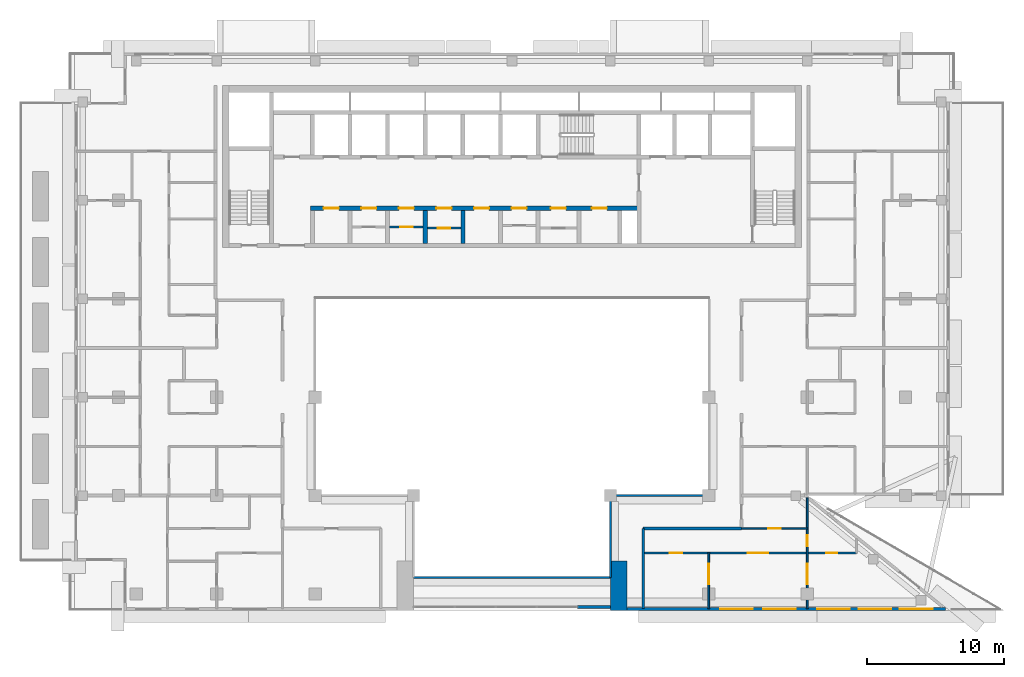
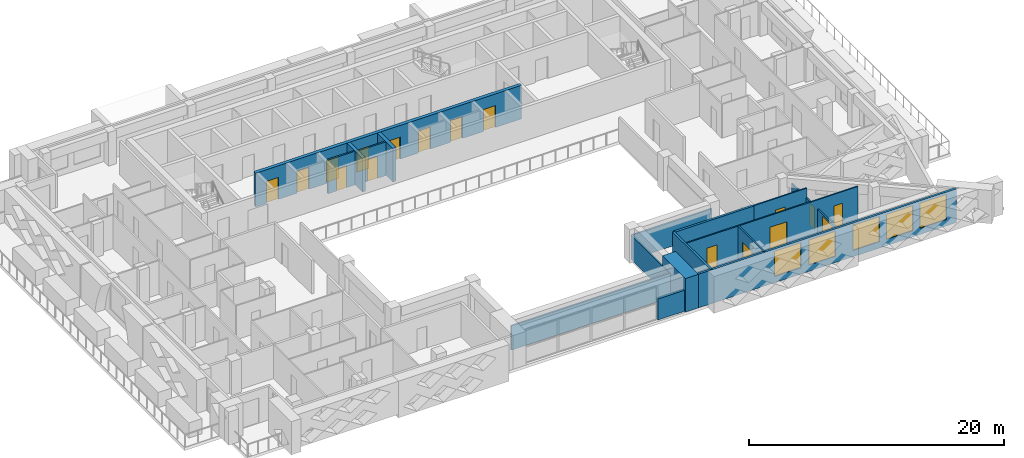
# One storey, part 8 of 19: 17 doors, 17 walls, 5 windows, 22 openings.
"""IFC4 building model written with IfcOpenShell, lengths in metres."""

from ifc_helpers import new_model, si_unit, direction, frame, frame_2d, origin, place, context, subcontext, project, spatial, rectangle, extrude, material, layer, layer_set, type_object, element, fill, save


model = new_model("IFC4")

# Units and contexts
model_context = context("Model", 3, precision=1e-05, world=origin(), true_north=direction((0.0, 1.0)))
body_context = subcontext(model_context, "Body", "Model", "MODEL_VIEW")
ifc_project = project(units=[si_unit("LENGTHUNIT", "METRE"), si_unit("AREAUNIT", "SQUARE_METRE"), si_unit("VOLUMEUNIT", "CUBIC_METRE"), si_unit("PLANEANGLEUNIT", "RADIAN"), si_unit("MASSUNIT", "GRAM", prefix="KILO")], contexts=[model_context])

# Site, building, storey
site_placement = place(None, origin())
site = spatial("IfcSite", under=ifc_project, at=site_placement, CompositionType="ELEMENT")
building_placement = place(site_placement, origin())
building = spatial("IfcBuilding", under=site, at=building_placement, Name="Saffron Iwan Residences", CompositionType="ELEMENT")
storey_placement = place(building_placement, frame((0.0, 0.0, 211.5)))
storey = spatial("IfcBuildingStorey", under=building, at=storey_placement, Name="L56", CompositionType="ELEMENT", Elevation=211.5)

# Walls
ifc_material_1 = material(Name="Fire-rated glazing", Category="glass")
ifc_layer_1 = layer(ifc_material_1, 0.14990234375)
ifc_layer_set_1 = layer_set([ifc_layer_1], Name="Fire-rated glazing")
wall_type_1 = type_object("IfcWallType", Name="Atrium glazed screen 150", PredefinedType="SOLIDWALL", material=ifc_layer_set_1)
wall_1_placement = place(storey_placement, frame((43.199951171875, 42.0, 0.0), z_axis=(0.0, 0.0, 1.0), x_axis=(1.0, 0.0, 0.0)))
element("IfcWall", 1, at=wall_1_placement, inside=storey, type_object=wall_type_1, Name="W-L56-SCREEN-h42-43.2", PredefinedType="SOLIDWALL", context=body_context, shape_type="SweptSolid", body=[
    extrude(rectangle(XDim=14.400146484375, YDim=0.14990234375, at=frame_2d((7.2001953125, 0.0))), origin(), (0.0, 0.0, 1.0), 2.320068359375),
])
wall_2_placement = place(storey_placement, frame((57.60009765625, 48.0, 0.0), z_axis=(0.0, 0.0, 1.0), x_axis=(1.0, 0.0, 0.0)))
element("IfcWall", 2, at=wall_2_placement, inside=storey, type_object=wall_type_1, Name="W-L56-SCREEN-h48-57.6", PredefinedType="SOLIDWALL", context=body_context, shape_type="SweptSolid", body=[
    extrude(rectangle(XDim=7.199951171875, YDim=0.14990234375, at=frame_2d((3.60009765625, 0.0))), origin(), (0.0, 0.0, 1.0), 2.320068359375),
])
wall_3_placement = place(storey_placement, frame((57.60009765625, 42.0, 0.0), z_axis=(0.0, 0.0, 1.0), x_axis=(0.0, 1.0, 0.0)))
element("IfcWall", 3, at=wall_3_placement, inside=storey, type_object=wall_type_1, Name="W-L56-SCREEN-v57.6-42", PredefinedType="SOLIDWALL", context=body_context, shape_type="SweptSolid", body=[
    extrude(rectangle(XDim=6.0, YDim=0.14990234375, at=frame_2d((3.0, 0.0))), origin(), (0.0, 0.0, 1.0), 2.320068359375),
])

# Wall, opening, door
ifc_material_2 = material(Name="Fire-rated plasterboard partition")
ifc_layer_2 = layer(ifc_material_2, 0.14990234375)
ifc_layer_set_2 = layer_set([ifc_layer_2], Name="Fire-rated plasterboard partition")
wall_type_2 = type_object("IfcWallType", Name="Core partition 150", PredefinedType="PARTITIONING", material=ifc_layer_set_2)
wall_4_placement = place(storey_placement, frame((41.449951171875, 67.66259765625, 0.0), z_axis=(0.0, 0.0, 1.0), x_axis=(1.0, 0.0, 0.0)))
wall_4 = element("IfcWall", 4, at=wall_4_placement, inside=storey, type_object=wall_type_2, Name="Core partition P02", PredefinedType="PARTITIONING", context=body_context, shape_type="SweptSolid", body=[
    extrude(rectangle(XDim=2.449951171875, YDim=0.14990234375, at=frame_2d((1.22509765625, 0.0))), origin(), (0.0, 0.0, 1.0), 3.219970703125),
])
opening_1_placement = place(wall_4_placement, frame((0.77490234375, 0.0, 0.0)))
opening_1 = element("IfcOpeningElement", 5, at=opening_1_placement, cuts=wall_4, Name="Opening SB", PredefinedType="OPENING", context=body_context, shape_type="SweptSolid", body=[
    extrude(rectangle(XDim=0.89990234375, YDim=2.10009765625, at=frame_2d((0.449951171875, 1.050048828125))), frame((0.0, 0.0849609375, 0.0), z_axis=(0.0, -1.0, 0.0), x_axis=(1.0, 0.0, 0.0)), (0.0, 0.0, 1.0), 0.169921875),
])
ifc_material_3 = material(Name="Steel fire door", Category="steel")
door_type_1 = type_object("IfcDoorType", Name="Store door 900", OperationType="NOTDEFINED", PredefinedType="DOOR", material=ifc_material_3)
door_1_placement = place(opening_1_placement, origin())
door_1 = element("IfcDoor", 6, at=door_1_placement, inside=storey, type_object=door_type_1, Name="Door Stationery store", OperationType="SINGLE_SWING_RIGHT", OverallHeight=2.10009765625, OverallWidth=0.89990234375, PredefinedType="DOOR", context=body_context, shape_type="SweptSolid", body=[
    extrude(rectangle(XDim=0.89990234375, YDim=2.10009765625, at=frame_2d((0.449951171875, 1.050048828125))), frame((0.0, 0.02490234375, 0.0), z_axis=(0.0, -1.0, 0.0), x_axis=(1.0, 0.0, 0.0)), (0.0, 0.0, 1.0), 0.050048828125),
])
fill(opening_1, door_1)

wall_5_placement = place(storey_placement, frame((44.199951171875, 67.5654296875, 0.0), z_axis=(0.0, 0.0, 1.0), x_axis=(1.0, 0.0, 0.0)))
wall_5 = element("IfcWall", 7, at=wall_5_placement, inside=storey, type_object=wall_type_2, Name="Core partition P03", PredefinedType="PARTITIONING", context=body_context, shape_type="SweptSolid", body=[
    extrude(rectangle(XDim=2.449951171875, YDim=0.14990234375, at=frame_2d((1.22509765625, 0.0))), origin(), (0.0, 0.0, 1.0), 3.219970703125),
])
opening_2_placement = place(wall_5_placement, frame((0.77490234375, 0.0, 0.0)))
opening_2 = element("IfcOpeningElement", 8, at=opening_2_placement, cuts=wall_5, Name="Opening SB", PredefinedType="OPENING", context=body_context, shape_type="SweptSolid", body=[
    extrude(rectangle(XDim=0.89990234375, YDim=2.10009765625, at=frame_2d((0.449951171875, 1.050048828125))), frame((0.0, 0.0849609375, 0.0), z_axis=(0.0, -1.0, 0.0), x_axis=(1.0, 0.0, 0.0)), (0.0, 0.0, 1.0), 0.169921875),
])
door_2_placement = place(opening_2_placement, origin())
door_2 = element("IfcDoor", 9, at=door_2_placement, inside=storey, type_object=door_type_1, Name="Door Tool store", OperationType="SINGLE_SWING_LEFT", OverallHeight=2.10009765625, OverallWidth=0.89990234375, PredefinedType="DOOR", context=body_context, shape_type="SweptSolid", body=[
    extrude(rectangle(XDim=0.89990234375, YDim=2.10009765625, at=frame_2d((0.449951171875, 1.050048828125))), frame((0.0, 0.02490234375, 0.0), z_axis=(0.0, -1.0, 0.0), x_axis=(1.0, 0.0, 0.0)), (0.0, 0.0, 1.0), 0.050048828125),
])
fill(opening_2, door_2)

# Wall, openings, windows
ifc_material_4 = material(Name="Concrete C40/50", Category="concrete")
ifc_layer_3 = layer(ifc_material_4, 0.199951171875)
ifc_layer_set_3 = layer_set([ifc_layer_3], Name="Concrete C40/50")
wall_type_3 = type_object("IfcWallType", Name="EXTERNAL WALL 200", PredefinedType="SOLIDWALL", material=ifc_layer_set_3)
wall_6_placement = place(storey_placement, frame((58.800048828125, 39.699951171875, 0.0), z_axis=(0.0, 0.0, 1.0), x_axis=(1.0, 0.0, 0.0)))
wall_6 = element("IfcWall", 10, at=wall_6_placement, inside=storey, type_object=wall_type_3, Name="External wall L56 F11.1", PredefinedType="SOLIDWALL", context=body_context, shape_type="SweptSolid", body=[
    extrude(rectangle(XDim=23.31689453125, YDim=0.199951171875, at=frame_2d((11.658447265625, 0.0))), origin(), (0.0, 0.0, 1.0), 3.219970703125),
])
opening_3_placement = place(wall_6_placement, frame((6.833251953125, 0.0, 0.60009765625)))
opening_3 = element("IfcOpeningElement", 11, at=opening_3_placement, cuts=wall_6, Name="Opening W1", PredefinedType="OPENING", context=body_context, shape_type="SweptSolid", body=[
    extrude(rectangle(XDim=2.39990234375, YDim=2.39990234375, at=frame_2d((1.199951171875, 1.199951171875))), frame((0.0, 0.10986328125, 0.0), z_axis=(0.0, -1.0, 0.0), x_axis=(1.0, 0.0, 0.0)), (0.0, 0.0, 1.0), 0.219970703125),
])
opening_4_placement = place(wall_6_placement, frame((9.966796875, 0.0, 0.60009765625)))
opening_4 = element("IfcOpeningElement", 12, at=opening_4_placement, cuts=wall_6, Name="Opening W1", PredefinedType="OPENING", context=body_context, shape_type="SweptSolid", body=[
    extrude(rectangle(XDim=2.39990234375, YDim=2.39990234375, at=frame_2d((1.199951171875, 1.199951171875))), frame((0.0, 0.10986328125, 0.0), z_axis=(0.0, -1.0, 0.0), x_axis=(1.0, 0.0, 0.0)), (0.0, 0.0, 1.0), 0.219970703125),
])
opening_5_placement = place(wall_6_placement, frame((13.92919921875, 0.0, 0.60009765625)))
opening_5 = element("IfcOpeningElement", 13, at=opening_5_placement, cuts=wall_6, Name="Opening W1", PredefinedType="OPENING", context=body_context, shape_type="SweptSolid", body=[
    extrude(rectangle(XDim=2.39990234375, YDim=2.39990234375, at=frame_2d((1.199951171875, 1.199951171875))), frame((0.0, 0.10986328125, 0.0), z_axis=(0.0, -1.0, 0.0), x_axis=(1.0, 0.0, 0.0)), (0.0, 0.0, 1.0), 0.219970703125),
])
opening_6_placement = place(wall_6_placement, frame((16.95849609375, 0.0, 0.60009765625)))
opening_6 = element("IfcOpeningElement", 14, at=opening_6_placement, cuts=wall_6, Name="Opening W1", PredefinedType="OPENING", context=body_context, shape_type="SweptSolid", body=[
    extrude(rectangle(XDim=2.39990234375, YDim=2.39990234375, at=frame_2d((1.199951171875, 1.199951171875))), frame((0.0, 0.10986328125, 0.0), z_axis=(0.0, -1.0, 0.0), x_axis=(1.0, 0.0, 0.0)), (0.0, 0.0, 1.0), 0.219970703125),
])
opening_7_placement = place(wall_6_placement, frame((19.98779296875, 0.0, 0.60009765625)))
opening_7 = element("IfcOpeningElement", 15, at=opening_7_placement, cuts=wall_6, Name="Opening W1", PredefinedType="OPENING", context=body_context, shape_type="SweptSolid", body=[
    extrude(rectangle(XDim=2.39990234375, YDim=2.39990234375, at=frame_2d((1.199951171875, 1.199951171875))), frame((0.0, 0.10986328125, 0.0), z_axis=(0.0, -1.0, 0.0), x_axis=(1.0, 0.0, 0.0)), (0.0, 0.0, 1.0), 0.219970703125),
])
ifc_material_5 = material(Name="Clear glass, laminated double glazed", Category="glass")
window_type = type_object("IfcWindowType", Name="WINDOW 2400 x 2400", PartitioningType="DOUBLE_PANEL_VERTICAL", PredefinedType="WINDOW", material=ifc_material_5)
window_1_placement = place(opening_3_placement, origin())
window_1 = element("IfcWindow", 16, at=window_1_placement, inside=storey, type_object=window_type, Name="Window L56 F11.0", OverallHeight=2.39990234375, OverallWidth=2.39990234375, PartitioningType="DOUBLE_PANEL_VERTICAL", PredefinedType="WINDOW", context=body_context, shape_type="SweptSolid", body=[
    extrude(rectangle(XDim=2.39990234375, YDim=2.39990234375, at=frame_2d((1.199951171875, 1.199951171875))), frame((0.0, 0.030029296875, 0.0), z_axis=(0.0, -1.0, 0.0), x_axis=(1.0, 0.0, 0.0)), (0.0, 0.0, 1.0), 0.06005859375),
])
fill(opening_3, window_1)
window_2_placement = place(opening_4_placement, origin())
window_2 = element("IfcWindow", 17, at=window_2_placement, inside=storey, type_object=window_type, Name="Window L56 F11.1", OverallHeight=2.39990234375, OverallWidth=2.39990234375, PartitioningType="DOUBLE_PANEL_VERTICAL", PredefinedType="WINDOW", context=body_context, shape_type="SweptSolid", body=[
    extrude(rectangle(XDim=2.39990234375, YDim=2.39990234375, at=frame_2d((1.199951171875, 1.199951171875))), frame((0.0, 0.030029296875, 0.0), z_axis=(0.0, -1.0, 0.0), x_axis=(1.0, 0.0, 0.0)), (0.0, 0.0, 1.0), 0.06005859375),
])
fill(opening_4, window_2)
window_3_placement = place(opening_5_placement, origin())
window_3 = element("IfcWindow", 18, at=window_3_placement, inside=storey, type_object=window_type, Name="Window L56 F11.2", OverallHeight=2.39990234375, OverallWidth=2.39990234375, PartitioningType="DOUBLE_PANEL_VERTICAL", PredefinedType="WINDOW", context=body_context, shape_type="SweptSolid", body=[
    extrude(rectangle(XDim=2.39990234375, YDim=2.39990234375, at=frame_2d((1.199951171875, 1.199951171875))), frame((0.0, 0.030029296875, 0.0), z_axis=(0.0, -1.0, 0.0), x_axis=(1.0, 0.0, 0.0)), (0.0, 0.0, 1.0), 0.06005859375),
])
fill(opening_5, window_3)
window_4_placement = place(opening_6_placement, origin())
window_4 = element("IfcWindow", 19, at=window_4_placement, inside=storey, type_object=window_type, Name="Window L56 F11.3", OverallHeight=2.39990234375, OverallWidth=2.39990234375, PartitioningType="DOUBLE_PANEL_VERTICAL", PredefinedType="WINDOW", context=body_context, shape_type="SweptSolid", body=[
    extrude(rectangle(XDim=2.39990234375, YDim=2.39990234375, at=frame_2d((1.199951171875, 1.199951171875))), frame((0.0, 0.030029296875, 0.0), z_axis=(0.0, -1.0, 0.0), x_axis=(1.0, 0.0, 0.0)), (0.0, 0.0, 1.0), 0.06005859375),
])
fill(opening_6, window_4)
window_5_placement = place(opening_7_placement, origin())
window_5 = element("IfcWindow", 20, at=window_5_placement, inside=storey, type_object=window_type, Name="Window L56 F11.4", OverallHeight=2.39990234375, OverallWidth=2.39990234375, PartitioningType="DOUBLE_PANEL_VERTICAL", PredefinedType="WINDOW", context=body_context, shape_type="SweptSolid", body=[
    extrude(rectangle(XDim=2.39990234375, YDim=2.39990234375, at=frame_2d((1.199951171875, 1.199951171875))), frame((0.0, 0.030029296875, 0.0), z_axis=(0.0, -1.0, 0.0), x_axis=(1.0, 0.0, 0.0)), (0.0, 0.0, 1.0), 0.06005859375),
])
fill(opening_7, window_5)

# Wall
wall_7_placement = place(storey_placement, frame((55.199951171875, 39.85009765625, 0.0), z_axis=(0.0, 0.0, 1.0), x_axis=(1.0, 0.0, 0.0)))
element("IfcWall", 21, at=wall_7_placement, inside=storey, type_object=wall_type_3, Name="External wall infill CWB-L56-0", PredefinedType="SOLIDWALL", context=body_context, shape_type="SweptSolid", body=[
    extrude(rectangle(XDim=2.400146484375, YDim=0.199951171875, at=frame_2d((1.2001953125, 0.0))), origin(), (0.0, 0.0, 1.0), 2.02001953125),
])

# Wall, openings, doors
ifc_material_6 = material(Name="Gypsum board partition")
ifc_layer_4 = layer(ifc_material_6, 0.1201171875)
ifc_layer_set_4 = layer_set([ifc_layer_4], Name="Gypsum board partition")
wall_type_4 = type_object("IfcWallType", Name="Flat partition 120", PredefinedType="PARTITIONING", material=ifc_layer_set_4)
wall_8_placement = place(storey_placement, frame((60.0, 43.800048828125, 0.0), z_axis=(0.0, 0.0, 1.0), x_axis=(1.0, 0.0, 0.0)))
wall_8 = element("IfcWall", 22, at=wall_8_placement, inside=storey, type_object=wall_type_4, Name="W-L56-PART-h43.8-60", PredefinedType="PARTITIONING", context=body_context, shape_type="SweptSolid", body=[
    extrude(rectangle(XDim=15.60009765625, YDim=0.1201171875, at=frame_2d((7.800048828125, 0.0))), origin(), (0.0, 0.0, 1.0), 3.219970703125),
])
opening_8_placement = place(wall_8_placement, frame((7.64990234375, 0.0, 0.0)))
opening_8 = element("IfcOpeningElement", 23, at=opening_8_placement, cuts=wall_8, Name="Opening FD4", PredefinedType="OPENING", context=body_context, shape_type="SweptSolid", body=[
    extrude(rectangle(XDim=1.5, YDim=2.10009765625, at=frame_2d((0.75, 1.050048828125))), frame((0.0, 0.070068359375, 0.0), z_axis=(0.0, -1.0, 0.0), x_axis=(1.0, 0.0, 0.0)), (0.0, 0.0, 1.0), 0.14013671875),
])
opening_9_placement = place(wall_8_placement, frame((1.949951171875, 0.0, 0.0)))
opening_9 = element("IfcOpeningElement", 24, at=opening_9_placement, cuts=wall_8, Name="Opening FD2", PredefinedType="OPENING", context=body_context, shape_type="SweptSolid", body=[
    extrude(rectangle(XDim=0.89990234375, YDim=2.10009765625, at=frame_2d((0.449951171875, 1.050048828125))), frame((0.0, 0.070068359375, 0.0), z_axis=(0.0, -1.0, 0.0), x_axis=(1.0, 0.0, 0.0)), (0.0, 0.0, 1.0), 0.14013671875),
])
opening_10_placement = place(wall_8_placement, frame((13.39990234375, 0.0, 0.0)))
opening_10 = element("IfcOpeningElement", 25, at=opening_10_placement, cuts=wall_8, Name="Opening FD3", PredefinedType="OPENING", context=body_context, shape_type="SweptSolid", body=[
    extrude(rectangle(XDim=0.800048828125, YDim=2.10009765625, at=frame_2d((0.39990234375, 1.050048828125))), frame((0.0, 0.070068359375, 0.0), z_axis=(0.0, -1.0, 0.0), x_axis=(1.0, 0.0, 0.0)), (0.0, 0.0, 1.0), 0.14013671875),
])
ifc_material_7 = material(Name="Timber door", Category="wood")
door_type_2 = type_object("IfcDoorType", Name="Bathroom door 800", OperationType="NOTDEFINED", PredefinedType="DOOR", material=ifc_material_7)
door_3_placement = place(opening_10_placement, origin())
door_3 = element("IfcDoor", 26, at=door_3_placement, inside=storey, type_object=door_type_2, Name="Door L56-047", OperationType="SINGLE_SWING_RIGHT", OverallHeight=2.10009765625, OverallWidth=0.800048828125, PredefinedType="DOOR", context=body_context, shape_type="SweptSolid", body=[
    extrude(rectangle(XDim=0.800048828125, YDim=2.10009765625, at=frame_2d((0.39990234375, 1.050048828125))), frame((0.0, 0.02490234375, 0.0), z_axis=(0.0, -1.0, 0.0), x_axis=(1.0, 0.0, 0.0)), (0.0, 0.0, 1.0), 0.050048828125),
])
fill(opening_10, door_3)
door_type_3 = type_object("IfcDoorType", Name="Double door 1500", OperationType="NOTDEFINED", PredefinedType="DOOR", material=ifc_material_7)
door_4_placement = place(opening_8_placement, origin())
door_4 = element("IfcDoor", 27, at=door_4_placement, inside=storey, type_object=door_type_3, Name="Door L56-043", OperationType="SINGLE_SWING_LEFT", OverallHeight=2.10009765625, OverallWidth=1.5, PredefinedType="DOOR", context=body_context, shape_type="SweptSolid", body=[
    extrude(rectangle(XDim=1.5, YDim=2.10009765625, at=frame_2d((0.75, 1.050048828125))), frame((0.0, 0.02490234375, 0.0), z_axis=(0.0, -1.0, 0.0), x_axis=(1.0, 0.0, 0.0)), (0.0, 0.0, 1.0), 0.050048828125),
])
fill(opening_8, door_4)
door_type_4 = type_object("IfcDoorType", Name="Flat door 900", OperationType="NOTDEFINED", PredefinedType="DOOR", material=ifc_material_7)
door_5_placement = place(opening_9_placement, origin())
door_5 = element("IfcDoor", 28, at=door_5_placement, inside=storey, type_object=door_type_4, Name="Door L56-044", OperationType="SINGLE_SWING_RIGHT", OverallHeight=2.10009765625, OverallWidth=0.89990234375, PredefinedType="DOOR", context=body_context, shape_type="SweptSolid", body=[
    extrude(rectangle(XDim=0.89990234375, YDim=2.10009765625, at=frame_2d((0.449951171875, 1.050048828125))), frame((0.0, 0.02490234375, 0.0), z_axis=(0.0, -1.0, 0.0), x_axis=(1.0, 0.0, 0.0)), (0.0, 0.0, 1.0), 0.050048828125),
])
fill(opening_9, door_5)

# Wall, opening, door
wall_9_placement = place(storey_placement, frame((67.199951171875, 45.60009765625, 0.0), z_axis=(0.0, 0.0, 1.0), x_axis=(1.0, 0.0, 0.0)))
wall_9 = element("IfcWall", 29, at=wall_9_placement, inside=storey, type_object=wall_type_4, Name="W-L56-PART-h45.6-67.2", PredefinedType="PARTITIONING", context=body_context, shape_type="SweptSolid", body=[
    extrude(rectangle(XDim=4.800048828125, YDim=0.1201171875, at=frame_2d((2.39990234375, 0.0))), origin(), (0.0, 0.0, 1.0), 3.219970703125),
])
opening_11_placement = place(wall_9_placement, frame((1.949951171875, 0.0, 0.0)))
opening_11 = element("IfcOpeningElement", 30, at=opening_11_placement, cuts=wall_9, Name="Opening FD2", PredefinedType="OPENING", context=body_context, shape_type="SweptSolid", body=[
    extrude(rectangle(XDim=0.89990234375, YDim=2.10009765625, at=frame_2d((0.449951171875, 1.050048828125))), frame((0.0, 0.070068359375, 0.0), z_axis=(0.0, -1.0, 0.0), x_axis=(1.0, 0.0, 0.0)), (0.0, 0.0, 1.0), 0.14013671875),
])
door_6_placement = place(opening_11_placement, origin())
door_6 = element("IfcDoor", 31, at=door_6_placement, inside=storey, type_object=door_type_4, Name="Door L56-041", OperationType="SINGLE_SWING_RIGHT", OverallHeight=2.10009765625, OverallWidth=0.89990234375, PredefinedType="DOOR", context=body_context, shape_type="SweptSolid", body=[
    extrude(rectangle(XDim=0.89990234375, YDim=2.10009765625, at=frame_2d((0.449951171875, 1.050048828125))), frame((0.0, 0.02490234375, 0.0), z_axis=(0.0, -1.0, 0.0), x_axis=(1.0, 0.0, 0.0)), (0.0, 0.0, 1.0), 0.050048828125),
])
fill(opening_11, door_6)

wall_10_placement = place(storey_placement, frame((64.800048828125, 39.72509765625, 0.0), z_axis=(0.0, 0.0, 1.0), x_axis=(0.0, 1.0, 0.0)))
wall_10 = element("IfcWall", 32, at=wall_10_placement, inside=storey, type_object=wall_type_4, Name="W-L56-PART-v64.8-39.725", PredefinedType="PARTITIONING", context=body_context, shape_type="SweptSolid", body=[
    extrude(rectangle(XDim=4.074951171875, YDim=0.1201171875, at=frame_2d((2.03759765625, 0.0))), origin(), (0.0, 0.0, 1.0), 3.219970703125),
])
opening_12_placement = place(wall_10_placement, frame((1.78759765625, 0.0, 0.0)))
opening_12 = element("IfcOpeningElement", 33, at=opening_12_placement, cuts=wall_10, Name="Opening FD4", PredefinedType="OPENING", context=body_context, shape_type="SweptSolid", body=[
    extrude(rectangle(XDim=1.5, YDim=2.10009765625, at=frame_2d((0.75, 1.050048828125))), frame((0.0, 0.070068359375, 0.0), z_axis=(0.0, -1.0, 0.0), x_axis=(1.0, 0.0, 0.0)), (0.0, 0.0, 1.0), 0.14013671875),
])
door_7_placement = place(opening_12_placement, origin())
door_7 = element("IfcDoor", 34, at=door_7_placement, inside=storey, type_object=door_type_3, Name="Door L56-040", OperationType="SINGLE_SWING_RIGHT", OverallHeight=2.10009765625, OverallWidth=1.5, PredefinedType="DOOR", context=body_context, shape_type="SweptSolid", body=[
    extrude(rectangle(XDim=1.5, YDim=2.10009765625, at=frame_2d((0.75, 1.050048828125))), frame((0.0, 0.02490234375, 0.0), z_axis=(0.0, -1.0, 0.0), x_axis=(1.0, 0.0, 0.0)), (0.0, 0.0, 1.0), 0.050048828125),
])
fill(opening_12, door_7)

# Wall, openings, doors
wall_11_placement = place(storey_placement, frame((72.0, 39.72509765625, 0.0), z_axis=(0.0, 0.0, 1.0), x_axis=(0.0, 1.0, 0.0)))
wall_11 = element("IfcWall", 35, at=wall_11_placement, inside=storey, type_object=wall_type_4, Name="W-L56-PART-v72-39.725", PredefinedType="PARTITIONING", context=body_context, shape_type="SweptSolid", body=[
    extrude(rectangle(XDim=8.114013671875, YDim=0.1201171875, at=frame_2d((4.05712890625, 0.0))), origin(), (0.0, 0.0, 1.0), 2.320068359375),
])
opening_13_placement = place(wall_11_placement, frame((1.78759765625, 0.0, 0.0)))
opening_13 = element("IfcOpeningElement", 36, at=opening_13_placement, cuts=wall_11, Name="Opening FD4", PredefinedType="OPENING", context=body_context, shape_type="SweptSolid", body=[
    extrude(rectangle(XDim=1.5, YDim=2.10009765625, at=frame_2d((0.75, 1.050048828125))), frame((0.0, 0.070068359375, 0.0), z_axis=(0.0, -1.0, 0.0), x_axis=(1.0, 0.0, 0.0)), (0.0, 0.0, 1.0), 0.14013671875),
])
opening_14_placement = place(wall_11_placement, frame((4.574951171875, 0.0, 0.0)))
opening_14 = element("IfcOpeningElement", 37, at=opening_14_placement, cuts=wall_11, Name="Opening FD3", PredefinedType="OPENING", context=body_context, shape_type="SweptSolid", body=[
    extrude(rectangle(XDim=0.800048828125, YDim=2.10009765625, at=frame_2d((0.39990234375, 1.050048828125))), frame((0.0, 0.070068359375, 0.0), z_axis=(0.0, -1.0, 0.0), x_axis=(1.0, 0.0, 0.0)), (0.0, 0.0, 1.0), 0.14013671875),
])
door_8_placement = place(opening_14_placement, origin())
door_8 = element("IfcDoor", 38, at=door_8_placement, inside=storey, type_object=door_type_2, Name="Door L56-046", OperationType="SINGLE_SWING_LEFT", OverallHeight=2.10009765625, OverallWidth=0.800048828125, PredefinedType="DOOR", context=body_context, shape_type="SweptSolid", body=[
    extrude(rectangle(XDim=0.800048828125, YDim=2.10009765625, at=frame_2d((0.39990234375, 1.050048828125))), frame((0.0, 0.02490234375, 0.0), z_axis=(0.0, -1.0, 0.0), x_axis=(1.0, 0.0, 0.0)), (0.0, 0.0, 1.0), 0.050048828125),
])
fill(opening_14, door_8)
door_9_placement = place(opening_13_placement, origin())
door_9 = element("IfcDoor", 39, at=door_9_placement, inside=storey, type_object=door_type_3, Name="Door L56-045", OperationType="SINGLE_SWING_RIGHT", OverallHeight=2.10009765625, OverallWidth=1.5, PredefinedType="DOOR", context=body_context, shape_type="SweptSolid", body=[
    extrude(rectangle(XDim=1.5, YDim=2.10009765625, at=frame_2d((0.75, 1.050048828125))), frame((0.0, 0.02490234375, 0.0), z_axis=(0.0, -1.0, 0.0), x_axis=(1.0, 0.0, 0.0)), (0.0, 0.0, 1.0), 0.050048828125),
])
fill(opening_13, door_9)

# Walls
ifc_material_8 = material(Name="Fire-rated gypsum board wall")
ifc_layer_5 = layer(ifc_material_8, 0.199951171875)
ifc_layer_set_5 = layer_set([ifc_layer_5], Name="Fire-rated gypsum board wall")
wall_type_5 = type_object("IfcWallType", Name="Gallery wall 200", PredefinedType="SOLIDWALL", material=ifc_layer_set_5)
wall_12_placement = place(storey_placement, frame((60.0, 45.60009765625, 0.0), z_axis=(0.0, 0.0, 1.0), x_axis=(1.0, 0.0, 0.0)))
element("IfcWall", 40, at=wall_12_placement, inside=storey, type_object=wall_type_5, Name="W-L56-CORR-h45.6-60", PredefinedType="SOLIDWALL", context=body_context, shape_type="SweptSolid", body=[
    extrude(rectangle(XDim=7.199951171875, YDim=0.199951171875, at=frame_2d((3.60009765625, 0.0))), origin(), (0.0, 0.0, 1.0), 3.219970703125),
])
wall_13_placement = place(storey_placement, frame((60.0, 39.72509765625, 0.0), z_axis=(0.0, 0.0, 1.0), x_axis=(0.0, 1.0, 0.0)))
element("IfcWall", 41, at=wall_13_placement, inside=storey, type_object=wall_type_5, Name="W-L56-CORR-v60-39.725", PredefinedType="SOLIDWALL", context=body_context, shape_type="SweptSolid", body=[
    extrude(rectangle(XDim=5.875, YDim=0.199951171875, at=frame_2d((2.9375, 0.0))), origin(), (0.0, 0.0, 1.0), 3.219970703125),
])

# Wall, openings, doors
ifc_layer_6 = layer(ifc_material_4, 0.300048828125)
ifc_layer_set_6 = layer_set([ifc_layer_6], Name="Concrete C40/50")
wall_type_6 = type_object("IfcWallType", Name="WALL CORE 300 C40/50 3220 HIGH", PredefinedType="SHEAR", material=ifc_layer_set_6)
wall_14_placement = place(storey_placement, frame((35.64990234375, 69.02490234375, 0.0), z_axis=(0.0, 0.0, 1.0), x_axis=(1.0, 0.0, 0.0)))
wall_14 = element("IfcWall", 42, at=wall_14_placement, inside=storey, type_object=wall_type_6, Name="Core wall", PredefinedType="SHEAR", context=body_context, shape_type="SweptSolid", body=[
    extrude(rectangle(XDim=24.050048828125, YDim=0.300048828125, at=frame_2d((12.02490234375, 0.0))), origin(), (0.0, 0.0, 1.0), 3.219970703125),
])
opening_15_placement = place(wall_14_placement, frame((0.97509765625, 0.0, 0.0)))
opening_15 = element("IfcOpeningElement", 43, at=opening_15_placement, cuts=wall_14, Name="Opening SR", PredefinedType="OPENING", context=body_context, shape_type="SweptSolid", body=[
    extrude(rectangle(XDim=1.10009765625, YDim=2.10009765625, at=frame_2d((0.550048828125, 1.050048828125))), frame((0.0, 0.16015625, 0.0), z_axis=(0.0, -1.0, 0.0), x_axis=(1.0, 0.0, 0.0)), (0.0, 0.0, 1.0), 0.320068359375),
])
opening_16_placement = place(wall_14_placement, frame((3.72509765625, 0.0, 0.0)))
opening_16 = element("IfcOpeningElement", 44, at=opening_16_placement, cuts=wall_14, Name="Opening SR", PredefinedType="OPENING", context=body_context, shape_type="SweptSolid", body=[
    extrude(rectangle(XDim=1.10009765625, YDim=2.10009765625, at=frame_2d((0.550048828125, 1.050048828125))), frame((0.0, 0.16015625, 0.0), z_axis=(0.0, -1.0, 0.0), x_axis=(1.0, 0.0, 0.0)), (0.0, 0.0, 1.0), 0.320068359375),
])
opening_17_placement = place(wall_14_placement, frame((6.47509765625, 0.0, 0.0)))
opening_17 = element("IfcOpeningElement", 45, at=opening_17_placement, cuts=wall_14, Name="Opening SR", PredefinedType="OPENING", context=body_context, shape_type="SweptSolid", body=[
    extrude(rectangle(XDim=1.10009765625, YDim=2.10009765625, at=frame_2d((0.550048828125, 1.050048828125))), frame((0.0, 0.16015625, 0.0), z_axis=(0.0, -1.0, 0.0), x_axis=(1.0, 0.0, 0.0)), (0.0, 0.0, 1.0), 0.320068359375),
])
opening_18_placement = place(wall_14_placement, frame((9.22509765625, 0.0, 0.0)))
opening_18 = element("IfcOpeningElement", 46, at=opening_18_placement, cuts=wall_14, Name="Opening SR", PredefinedType="OPENING", context=body_context, shape_type="SweptSolid", body=[
    extrude(rectangle(XDim=1.10009765625, YDim=2.10009765625, at=frame_2d((0.550048828125, 1.050048828125))), frame((0.0, 0.16015625, 0.0), z_axis=(0.0, -1.0, 0.0), x_axis=(1.0, 0.0, 0.0)), (0.0, 0.0, 1.0), 0.320068359375),
])
opening_19_placement = place(wall_14_placement, frame((11.97509765625, 0.0, 0.0)))
opening_19 = element("IfcOpeningElement", 47, at=opening_19_placement, cuts=wall_14, Name="Opening SR", PredefinedType="OPENING", context=body_context, shape_type="SweptSolid", body=[
    extrude(rectangle(XDim=1.10009765625, YDim=2.10009765625, at=frame_2d((0.550048828125, 1.050048828125))), frame((0.0, 0.16015625, 0.0), z_axis=(0.0, -1.0, 0.0), x_axis=(1.0, 0.0, 0.0)), (0.0, 0.0, 1.0), 0.320068359375),
])
opening_20_placement = place(wall_14_placement, frame((14.72509765625, 0.0, 0.0)))
opening_20 = element("IfcOpeningElement", 48, at=opening_20_placement, cuts=wall_14, Name="Opening SR", PredefinedType="OPENING", context=body_context, shape_type="SweptSolid", body=[
    extrude(rectangle(XDim=1.10009765625, YDim=2.10009765625, at=frame_2d((0.550048828125, 1.050048828125))), frame((0.0, 0.16015625, 0.0), z_axis=(0.0, -1.0, 0.0), x_axis=(1.0, 0.0, 0.0)), (0.0, 0.0, 1.0), 0.320068359375),
])
opening_21_placement = place(wall_14_placement, frame((17.60009765625, 0.0, 0.0)))
opening_21 = element("IfcOpeningElement", 49, at=opening_21_placement, cuts=wall_14, Name="Opening SR", PredefinedType="OPENING", context=body_context, shape_type="SweptSolid", body=[
    extrude(rectangle(XDim=1.10009765625, YDim=2.10009765625, at=frame_2d((0.550048828125, 1.050048828125))), frame((0.0, 0.16015625, 0.0), z_axis=(0.0, -1.0, 0.0), x_axis=(1.0, 0.0, 0.0)), (0.0, 0.0, 1.0), 0.320068359375),
])
opening_22_placement = place(wall_14_placement, frame((20.60009765625, 0.0, 0.0)))
opening_22 = element("IfcOpeningElement", 50, at=opening_22_placement, cuts=wall_14, Name="Opening SR", PredefinedType="OPENING", context=body_context, shape_type="SweptSolid", body=[
    extrude(rectangle(XDim=1.10009765625, YDim=2.10009765625, at=frame_2d((0.550048828125, 1.050048828125))), frame((0.0, 0.16015625, 0.0), z_axis=(0.0, -1.0, 0.0), x_axis=(1.0, 0.0, 0.0)), (0.0, 0.0, 1.0), 0.320068359375),
])
door_type_5 = type_object("IfcDoorType", Name="Service door 1100", OperationType="NOTDEFINED", PredefinedType="DOOR", material=ifc_material_3)
door_10_placement = place(opening_15_placement, origin())
door_10 = element("IfcDoor", 51, at=door_10_placement, inside=storey, type_object=door_type_5, Name="Door Communications room", OperationType="SINGLE_SWING_RIGHT", OverallHeight=2.10009765625, OverallWidth=1.10009765625, PredefinedType="DOOR", context=body_context, shape_type="SweptSolid", body=[
    extrude(rectangle(XDim=1.10009765625, YDim=2.10009765625, at=frame_2d((0.550048828125, 1.050048828125))), frame((0.0, 0.02490234375, 0.0), z_axis=(0.0, -1.0, 0.0), x_axis=(1.0, 0.0, 0.0)), (0.0, 0.0, 1.0), 0.050048828125),
])
fill(opening_15, door_10)
door_11_placement = place(opening_16_placement, origin())
door_11 = element("IfcDoor", 52, at=door_11_placement, inside=storey, type_object=door_type_5, Name="Door Switch room", OperationType="SINGLE_SWING_LEFT", OverallHeight=2.10009765625, OverallWidth=1.10009765625, PredefinedType="DOOR", context=body_context, shape_type="SweptSolid", body=[
    extrude(rectangle(XDim=1.10009765625, YDim=2.10009765625, at=frame_2d((0.550048828125, 1.050048828125))), frame((0.0, 0.02490234375, 0.0), z_axis=(0.0, -1.0, 0.0), x_axis=(1.0, 0.0, 0.0)), (0.0, 0.0, 1.0), 0.050048828125),
])
fill(opening_16, door_11)
door_12_placement = place(opening_17_placement, origin())
door_12 = element("IfcDoor", 53, at=door_12_placement, inside=storey, type_object=door_type_5, Name="Door Furniture store", OperationType="SINGLE_SWING_RIGHT", OverallHeight=2.10009765625, OverallWidth=1.10009765625, PredefinedType="DOOR", context=body_context, shape_type="SweptSolid", body=[
    extrude(rectangle(XDim=1.10009765625, YDim=2.10009765625, at=frame_2d((0.550048828125, 1.050048828125))), frame((0.0, 0.02490234375, 0.0), z_axis=(0.0, -1.0, 0.0), x_axis=(1.0, 0.0, 0.0)), (0.0, 0.0, 1.0), 0.050048828125),
])
fill(opening_17, door_12)
door_13_placement = place(opening_18_placement, origin())
door_13 = element("IfcDoor", 54, at=door_13_placement, inside=storey, type_object=door_type_5, Name="Door Housekeeping store", OperationType="SINGLE_SWING_LEFT", OverallHeight=2.10009765625, OverallWidth=1.10009765625, PredefinedType="DOOR", context=body_context, shape_type="SweptSolid", body=[
    extrude(rectangle(XDim=1.10009765625, YDim=2.10009765625, at=frame_2d((0.550048828125, 1.050048828125))), frame((0.0, 0.02490234375, 0.0), z_axis=(0.0, -1.0, 0.0), x_axis=(1.0, 0.0, 0.0)), (0.0, 0.0, 1.0), 0.050048828125),
])
fill(opening_18, door_13)
door_14_placement = place(opening_19_placement, origin())
door_14 = element("IfcDoor", 55, at=door_14_placement, inside=storey, type_object=door_type_5, Name="Door Cleaner's store", OperationType="SINGLE_SWING_RIGHT", OverallHeight=2.10009765625, OverallWidth=1.10009765625, PredefinedType="DOOR", context=body_context, shape_type="SweptSolid", body=[
    extrude(rectangle(XDim=1.10009765625, YDim=2.10009765625, at=frame_2d((0.550048828125, 1.050048828125))), frame((0.0, 0.02490234375, 0.0), z_axis=(0.0, -1.0, 0.0), x_axis=(1.0, 0.0, 0.0)), (0.0, 0.0, 1.0), 0.050048828125),
])
fill(opening_19, door_14)
door_15_placement = place(opening_20_placement, origin())
door_15 = element("IfcDoor", 56, at=door_15_placement, inside=storey, type_object=door_type_5, Name="Door Trolley store", OperationType="SINGLE_SWING_LEFT", OverallHeight=2.10009765625, OverallWidth=1.10009765625, PredefinedType="DOOR", context=body_context, shape_type="SweptSolid", body=[
    extrude(rectangle(XDim=1.10009765625, YDim=2.10009765625, at=frame_2d((0.550048828125, 1.050048828125))), frame((0.0, 0.02490234375, 0.0), z_axis=(0.0, -1.0, 0.0), x_axis=(1.0, 0.0, 0.0)), (0.0, 0.0, 1.0), 0.050048828125),
])
fill(opening_20, door_15)
door_16_placement = place(opening_21_placement, origin())
door_16 = element("IfcDoor", 57, at=door_16_placement, inside=storey, type_object=door_type_5, Name="Door Luggage store", OperationType="SINGLE_SWING_RIGHT", OverallHeight=2.10009765625, OverallWidth=1.10009765625, PredefinedType="DOOR", context=body_context, shape_type="SweptSolid", body=[
    extrude(rectangle(XDim=1.10009765625, YDim=2.10009765625, at=frame_2d((0.550048828125, 1.050048828125))), frame((0.0, 0.02490234375, 0.0), z_axis=(0.0, -1.0, 0.0), x_axis=(1.0, 0.0, 0.0)), (0.0, 0.0, 1.0), 0.050048828125),
])
fill(opening_21, door_16)
door_17_placement = place(opening_22_placement, origin())
door_17 = element("IfcDoor", 58, at=door_17_placement, inside=storey, type_object=door_type_5, Name="Door Refuse store", OperationType="SINGLE_SWING_RIGHT", OverallHeight=2.10009765625, OverallWidth=1.10009765625, PredefinedType="DOOR", context=body_context, shape_type="SweptSolid", body=[
    extrude(rectangle(XDim=1.10009765625, YDim=2.10009765625, at=frame_2d((0.550048828125, 1.050048828125))), frame((0.0, 0.02490234375, 0.0), z_axis=(0.0, -1.0, 0.0), x_axis=(1.0, 0.0, 0.0)), (0.0, 0.0, 1.0), 0.050048828125),
])
fill(opening_22, door_17)

# Walls
for number, where, z_axis, x_axis, name in (
    (59, (44.050048828125, 66.449951171875, 0.0), (0.0, 0.0, 1.0), (0.0, 1.0, 0.0), "Core wall"),
    (60, (46.800048828125, 66.449951171875, 0.0), (0.0, 0.0, 1.0), (0.0, 1.0, 0.0), "Core wall"),
):
    element("IfcWall", number, at=place(storey_placement, frame(where, z_axis=z_axis, x_axis=x_axis)), inside=storey, type_object=wall_type_6, Name=name, PredefinedType="SHEAR", context=body_context, shape_type="SweptSolid", body=[
        extrude(rectangle(XDim=2.425048828125, YDim=0.300048828125, at=frame_2d((1.21240234375, 0.0))), origin(), (0.0, 0.0, 1.0), 3.219970703125),
    ])
ifc_layer_7 = layer(ifc_material_4, 1.199951171875)
ifc_layer_set_7 = layer_set([ifc_layer_7], Name="Concrete C40/50")
wall_type_7 = type_object("IfcWallType", Name="WALL IWAN PIER 1200 C40/50 3220 HIGH", PredefinedType="SHEAR", material=ifc_layer_set_7)
wall_15_placement = place(storey_placement, frame((58.199951171875, 39.60009765625, 0.0), z_axis=(0.0, 0.0, 1.0), x_axis=(0.0, 1.0, 0.0)))
element("IfcWall", 61, at=wall_15_placement, inside=storey, type_object=wall_type_7, Name="IWAN PIER", PredefinedType="SHEAR", context=body_context, shape_type="SweptSolid", body=[
    extrude(rectangle(XDim=3.599853515625, YDim=1.199951171875, at=frame_2d((1.7998046875, 0.0))), origin(), (0.0, 0.0, 1.0), 3.219970703125),
])

save(model, "model.ifc")
